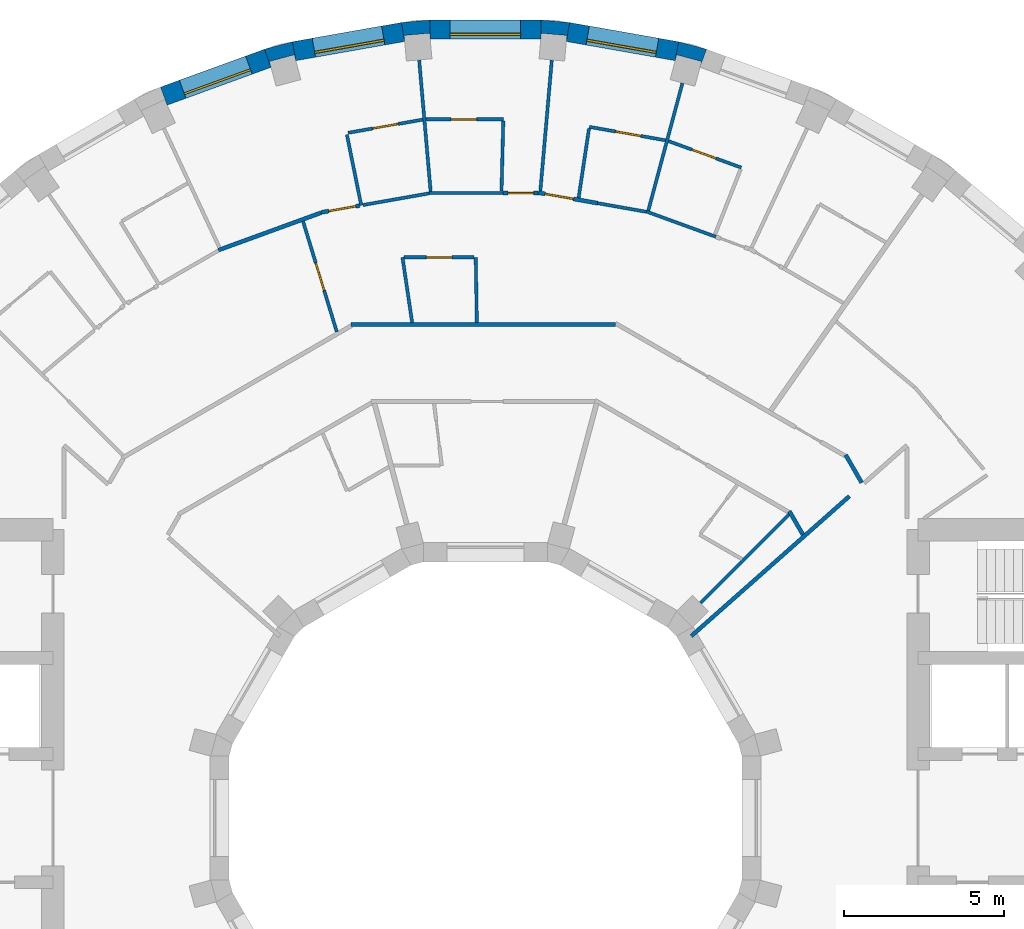
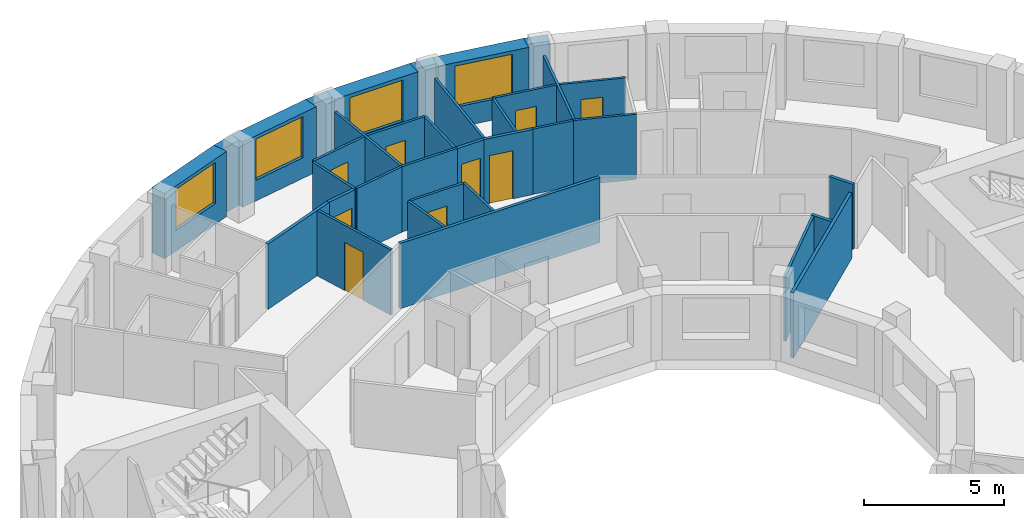
# One storey, part 12 of 15: 35 walls, 9 doors, 4 windows, 13 openings.
"""IFC4 building model written with IfcOpenShell, lengths in metres."""

from ifc_helpers import new_model, si_unit, direction, frame, frame_2d, origin, place, context, subcontext, project, spatial, polyline, rectangle, outline, extrude, material, layer, layer_set, type_object, element, fill, save


model = new_model("IFC4")

# Units and contexts
model_context = context("Model", 3, precision=1e-05, world=origin(), true_north=direction((0.0, 1.0)))
body_context = subcontext(model_context, "Body", "Model", "MODEL_VIEW")
ifc_project = project(units=[si_unit("LENGTHUNIT", "METRE"), si_unit("AREAUNIT", "SQUARE_METRE"), si_unit("VOLUMEUNIT", "CUBIC_METRE"), si_unit("PLANEANGLEUNIT", "RADIAN"), si_unit("MASSUNIT", "GRAM", prefix="KILO")], contexts=[model_context])

# Site, building, storey
site_placement = place(None, origin())
site = spatial("IfcSite", under=ifc_project, at=site_placement, CompositionType="ELEMENT")
building_placement = place(site_placement, origin())
building = spatial("IfcBuilding", under=site, at=building_placement, Name="Saqina Gate Tower", CompositionType="ELEMENT")
storey_placement = place(building_placement, frame((0.0, 0.0, 167.39990234375)))
storey = spatial("IfcBuildingStorey", under=building, at=storey_placement, Name="L47", CompositionType="ELEMENT", Elevation=167.39990234375)

# Walls
ifc_material_1 = material(Name="Brick masonry (buff)", Category="masonry")
wall_type_1 = type_object("IfcWallType", Name="BRICK PIER COPING BUFF", PredefinedType="SOLIDWALL", material=ifc_material_1)
wall_1_placement = place(storey_placement, origin())
element("IfcWall", 1, at=wall_1_placement, inside=storey, type_object=wall_type_1, Name="Pier cap L47 column 8", PredefinedType="SOLIDWALL", context=body_context, shape_type="SweptSolid", body=[
    extrude(outline(polyline([(6.0234375, 24.22705078125), (5.919189453125, 23.635986328125), (5.967529296875, 23.81689453125), (6.740478515625, 23.610107421875), (6.69189453125, 23.428955078125), (6.897216796875, 23.992919921875), (6.0234375, 24.22705078125)])), origin(), (0.0, 0.0, 1.0), 2.85009765625),
])
wall_2_placement = place(storey_placement, origin())
element("IfcWall", 2, at=wall_2_placement, inside=storey, type_object=wall_type_1, Name="Pier cap L47 column 9", PredefinedType="SOLIDWALL", context=body_context, shape_type="SweptSolid", body=[
    extrude(outline(polyline([(2.6259765625, 24.825927734375), (1.724853515625, 24.90478515625), (1.724853515625, 24.304931640625), (1.7412109375, 24.491455078125), (2.5380859375, 24.421630859375), (2.521728515625, 24.235107421875), (2.6259765625, 24.825927734375)])), origin(), (0.0, 0.0, 1.0), 2.85009765625),
])
wall_3_placement = place(storey_placement, origin())
element("IfcWall", 3, at=wall_3_placement, inside=storey, type_object=wall_type_1, Name="Pier cap L47 column 10", PredefinedType="SOLIDWALL", context=body_context, shape_type="SweptSolid", body=[
    extrude(outline(polyline([(-1.724853515625, 24.90478515625), (-2.6259765625, 24.825927734375), (-2.521728515625, 24.235107421875), (-2.5380859375, 24.421630859375), (-1.7412109375, 24.491455078125), (-1.724853515625, 24.304931640625), (-1.724853515625, 24.90478515625)])), origin(), (0.0, 0.0, 1.0), 2.85009765625),
])
wall_4_placement = place(storey_placement, origin())
element("IfcWall", 4, at=wall_4_placement, inside=storey, type_object=wall_type_1, Name="Pier cap L47 column 11", PredefinedType="SOLIDWALL", context=body_context, shape_type="SweptSolid", body=[
    extrude(outline(polyline([(-6.0234375, 24.22705078125), (-6.897216796875, 23.992919921875), (-6.69189453125, 23.428955078125), (-6.740478515625, 23.610107421875), (-5.967529296875, 23.81689453125), (-5.919189453125, 23.635986328125), (-6.0234375, 24.22705078125)])), origin(), (0.0, 0.0, 1.0), 2.85009765625),
])

# Wall, opening, window
ifc_material_2 = material(Name="Brick masonry (buff)", Category="masonry")
ifc_layer_1 = layer(ifc_material_2, 0.60009765625)
ifc_layer_set_1 = layer_set([ifc_layer_1], Name="FW-BRICK-BUFF")
wall_type_2 = type_object("IfcWallType", Name="FW-BRICK-BUFF", PredefinedType="SOLIDWALL", material=ifc_layer_set_1)
wall_5_placement = place(storey_placement, frame((5.97119140625, 23.931640625, 0.0), z_axis=(0.0, 0.0, 1.0), x_axis=(-0.984814892183, 0.173607684551, 0.0)))
wall_5 = element("IfcWall", 5, at=wall_5_placement, inside=storey, type_object=wall_type_2, Name="Facade wall L47 facet 8", PredefinedType="SOLIDWALL", context=body_context, shape_type="SweptSolid", body=[
    extrude(rectangle(XDim=3.44970703125, YDim=0.60009765625, at=frame_2d((1.724853515625, 0.0))), origin(), (0.0, 0.0, 1.0), 2.85009765625),
])
opening_1_placement = place(wall_5_placement, frame((0.625, 0.0, 0.89990234375)))
opening_1 = element("IfcOpeningElement", 6, at=opening_1_placement, cuts=wall_5, Name="Opening G13-W06", PredefinedType="OPENING", context=body_context, shape_type="SweptSolid", body=[
    extrude(rectangle(XDim=2.199951171875, YDim=1.800048828125, at=frame_2d((1.10009765625, 0.89990234375))), frame((0.0, 0.31201171875, 0.0), z_axis=(0.0, -1.0, 0.0), x_axis=(1.0, 0.0, 0.0)), (0.0, 0.0, 1.0), 0.6240234375),
])
ifc_material_3 = material(Name="Aluminium glazing", Category="aluminium")
window_type = type_object("IfcWindowType", Name="WN-C", PartitioningType="SINGLE_PANEL", PredefinedType="WINDOW", material=ifc_material_3)
window_1_placement = place(opening_1_placement, origin())
window_1 = element("IfcWindow", 7, at=window_1_placement, inside=storey, type_object=window_type, Name="Window L47 facet 8", OverallHeight=1.800048828125, OverallWidth=2.199951171875, PartitioningType="SINGLE_PANEL", PredefinedType="WINDOW", context=body_context, shape_type="SweptSolid", body=[
    extrude(rectangle(XDim=2.199951171875, YDim=1.800048828125, at=frame_2d((1.10009765625, 0.89990234375))), frame((0.0, 0.179931640625, 0.0), z_axis=(0.0, -1.0, 0.0), x_axis=(1.0, 0.0, 0.0)), (0.0, 0.0, 1.0), 0.06005859375),
])
fill(opening_1, window_1)

wall_6_placement = place(storey_placement, frame((1.724853515625, 24.60498046875, 0.0), z_axis=(0.0, 0.0, 1.0), x_axis=(-1.0, 0.0, 0.0)))
wall_6 = element("IfcWall", 8, at=wall_6_placement, inside=storey, type_object=wall_type_2, Name="Facade wall L47 facet 9", PredefinedType="SOLIDWALL", context=body_context, shape_type="SweptSolid", body=[
    extrude(rectangle(XDim=3.44970703125, YDim=0.60009765625, at=frame_2d((1.724853515625, 0.0))), origin(), (0.0, 0.0, 1.0), 2.85009765625),
])
opening_2_placement = place(wall_6_placement, frame((0.625, 0.0, 0.89990234375)))
opening_2 = element("IfcOpeningElement", 9, at=opening_2_placement, cuts=wall_6, Name="Opening G13-W07", PredefinedType="OPENING", context=body_context, shape_type="SweptSolid", body=[
    extrude(rectangle(XDim=2.199951171875, YDim=1.800048828125, at=frame_2d((1.10009765625, 0.89990234375))), frame((0.0, 0.31201171875, 0.0), z_axis=(0.0, -1.0, 0.0), x_axis=(1.0, 0.0, 0.0)), (0.0, 0.0, 1.0), 0.6240234375),
])
window_2_placement = place(opening_2_placement, origin())
window_2 = element("IfcWindow", 10, at=window_2_placement, inside=storey, type_object=window_type, Name="Window L47 facet 9", OverallHeight=1.800048828125, OverallWidth=2.199951171875, PartitioningType="SINGLE_PANEL", PredefinedType="WINDOW", context=body_context, shape_type="SweptSolid", body=[
    extrude(rectangle(XDim=2.199951171875, YDim=1.800048828125, at=frame_2d((1.10009765625, 0.89990234375))), frame((0.0, 0.179931640625, 0.0), z_axis=(0.0, -1.0, 0.0), x_axis=(1.0, 0.0, 0.0)), (0.0, 0.0, 1.0), 0.06005859375),
])
fill(opening_2, window_2)

wall_7_placement = place(storey_placement, frame((-2.573974609375, 24.530517578125, 0.0), z_axis=(0.0, 0.0, 1.0), x_axis=(-0.984814892183, -0.173607684551, 0.0)))
wall_7 = element("IfcWall", 11, at=wall_7_placement, inside=storey, type_object=wall_type_2, Name="Facade wall L47 facet 10", PredefinedType="SOLIDWALL", context=body_context, shape_type="SweptSolid", body=[
    extrude(rectangle(XDim=3.44970703125, YDim=0.60009765625, at=frame_2d((1.724853515625, 0.0))), origin(), (0.0, 0.0, 1.0), 2.85009765625),
])
opening_3_placement = place(wall_7_placement, frame((0.625, 0.0, 0.89990234375)))
opening_3 = element("IfcOpeningElement", 12, at=opening_3_placement, cuts=wall_7, Name="Opening G13-W08", PredefinedType="OPENING", context=body_context, shape_type="SweptSolid", body=[
    extrude(rectangle(XDim=2.199951171875, YDim=1.800048828125, at=frame_2d((1.10009765625, 0.89990234375))), frame((0.0, 0.31201171875, 0.0), z_axis=(0.0, -1.0, 0.0), x_axis=(1.0, 0.0, 0.0)), (0.0, 0.0, 1.0), 0.6240234375),
])
window_3_placement = place(opening_3_placement, origin())
window_3 = element("IfcWindow", 13, at=window_3_placement, inside=storey, type_object=window_type, Name="Window L47 facet 10", OverallHeight=1.800048828125, OverallWidth=2.199951171875, PartitioningType="SINGLE_PANEL", PredefinedType="WINDOW", context=body_context, shape_type="SweptSolid", body=[
    extrude(rectangle(XDim=2.199951171875, YDim=1.800048828125, at=frame_2d((1.10009765625, 0.89990234375))), frame((0.0, 0.179931640625, 0.0), z_axis=(0.0, -1.0, 0.0), x_axis=(1.0, 0.0, 0.0)), (0.0, 0.0, 1.0), 0.06005859375),
])
fill(opening_3, window_3)

wall_8_placement = place(storey_placement, frame((-6.79443359375, 23.7109375, 0.0), z_axis=(0.0, 0.0, 1.0), x_axis=(-0.93968799822, -0.342032843455, 0.0)))
wall_8 = element("IfcWall", 14, at=wall_8_placement, inside=storey, type_object=wall_type_2, Name="Facade wall L47 facet 11", PredefinedType="SOLIDWALL", context=body_context, shape_type="SweptSolid", body=[
    extrude(rectangle(XDim=3.44970703125, YDim=0.60009765625, at=frame_2d((1.724853515625, 0.0))), origin(), (0.0, 0.0, 1.0), 2.85009765625),
])
opening_4_placement = place(wall_8_placement, frame((0.625, 0.0, 0.89990234375)))
opening_4 = element("IfcOpeningElement", 15, at=opening_4_placement, cuts=wall_8, Name="Opening G13-W09", PredefinedType="OPENING", context=body_context, shape_type="SweptSolid", body=[
    extrude(rectangle(XDim=2.199951171875, YDim=1.800048828125, at=frame_2d((1.10009765625, 0.89990234375))), frame((0.0, 0.31201171875, 0.0), z_axis=(0.0, -1.0, 0.0), x_axis=(1.0, 0.0, 0.0)), (0.0, 0.0, 1.0), 0.6240234375),
])
window_4_placement = place(opening_4_placement, origin())
window_4 = element("IfcWindow", 16, at=window_4_placement, inside=storey, type_object=window_type, Name="Window L47 facet 11", OverallHeight=1.800048828125, OverallWidth=2.199951171875, PartitioningType="SINGLE_PANEL", PredefinedType="WINDOW", context=body_context, shape_type="SweptSolid", body=[
    extrude(rectangle(XDim=2.199951171875, YDim=1.800048828125, at=frame_2d((1.10009765625, 0.89990234375))), frame((0.0, 0.179931640625, 0.0), z_axis=(0.0, -1.0, 0.0), x_axis=(1.0, 0.0, 0.0)), (0.0, 0.0, 1.0), 0.06005859375),
])
fill(opening_4, window_4)

# Walls
ifc_material_4 = material(Name="Gypsum board on steel studs, 100 mm", Category="steel")
ifc_layer_2 = layer(ifc_material_4, 0.10009765625)
ifc_layer_set_2 = layer_set([ifc_layer_2], Name="PARTITION 100")
wall_type_3 = type_object("IfcWallType", Name="PARTITION 100", PredefinedType="PARTITIONING", material=ifc_layer_set_2)
wall_9_placement = place(storey_placement, frame((-0.304931640625, 17.5, 0.0), z_axis=(0.0, 0.0, 1.0), x_axis=(0.017131441911, -0.999853246081, 0.0)))
element("IfcWall", 17, at=wall_9_placement, inside=storey, type_object=wall_type_3, Name="PARTITION PW3-01", PredefinedType="PARTITIONING", context=body_context, shape_type="SweptSolid", body=[
    extrude(rectangle(XDim=2.037841796875, YDim=0.10009765625, at=frame_2d((1.01904296875, 0.0))), origin(), (0.0, 0.0, 1.0), 2.85009765625),
])
wall_10_placement = place(storey_placement, frame((-2.06884765625, 23.649658203125, 0.0), z_axis=(0.0, 0.0, 1.0), x_axis=(0.086893599578, -0.996217597893, 0.0)))
element("IfcWall", 18, at=wall_10_placement, inside=storey, type_object=wall_type_3, Name="PARTITION PW3-03", PredefinedType="PARTITIONING", context=body_context, shape_type="SweptSolid", body=[
    extrude(rectangle(XDim=4.110595703125, YDim=0.10009765625, at=frame_2d((2.05517578125, 0.0))), origin(), (0.0, 0.0, 1.0), 2.85009765625),
])
wall_11_placement = place(storey_placement, frame((-2.590087890625, 17.5, 0.0), z_axis=(0.0, 0.0, 1.0), x_axis=(0.146578722253, -0.989199008381, 0.0)))
element("IfcWall", 19, at=wall_11_placement, inside=storey, type_object=wall_type_3, Name="PARTITION PW3-05", PredefinedType="PARTITIONING", context=body_context, shape_type="SweptSolid", body=[
    extrude(rectangle(XDim=2.060302734375, YDim=0.10009765625, at=frame_2d((1.0302734375, 0.0))), origin(), (0.0, 0.0, 1.0), 2.85009765625),
])
wall_12_placement = place(storey_placement, frame((-4.324951171875, 21.326904296875, 0.0), z_axis=(0.0, 0.0, 1.0), x_axis=(0.199120171805, -0.979975079877, 0.0)))
element("IfcWall", 20, at=wall_12_placement, inside=storey, type_object=wall_type_3, Name="PARTITION PW3-06", PredefinedType="PARTITIONING", context=body_context, shape_type="SweptSolid", body=[
    extrude(rectangle(XDim=2.25, YDim=0.10009765625, at=frame_2d((1.125, 0.0))), origin(), (0.0, 0.0, 1.0), 2.85009765625),
])

# Wall, opening, door
wall_13_placement = place(storey_placement, frame((-5.691650390625, 18.6181640625, 0.0), z_axis=(0.0, 0.0, 1.0), x_axis=(0.292189255633, -0.956360517218, 0.0)))
wall_13 = element("IfcWall", 21, at=wall_13_placement, inside=storey, type_object=wall_type_3, Name="PARTITION PW3-07", PredefinedType="PARTITIONING", context=body_context, shape_type="SweptSolid", body=[
    extrude(rectangle(XDim=3.601318359375, YDim=0.10009765625, at=frame_2d((1.80078125, 0.0))), origin(), (0.0, 0.0, 1.0), 2.85009765625),
])
opening_5_placement = place(wall_13_placement, frame((1.350830078125, 0.0, 0.0)))
opening_5 = element("IfcOpeningElement", 22, at=opening_5_placement, cuts=wall_13, Name="Opening G13-D19", PredefinedType="OPENING", context=body_context, shape_type="SweptSolid", body=[
    extrude(rectangle(XDim=0.89990234375, YDim=2.10009765625, at=frame_2d((0.449951171875, 1.050048828125))), frame((0.0, 0.06201171875, 0.0), z_axis=(0.0, -1.0, 0.0), x_axis=(1.0, 0.0, 0.0)), (0.0, 0.0, 1.0), 0.1240234375),
])
ifc_material_5 = material(Name="Timber door leaf, 900 mm", Category="wood")
door_type_1 = type_object("IfcDoorType", Name="DOOR 900 TIMBER", OperationType="SINGLE_SWING_LEFT", PredefinedType="DOOR", material=ifc_material_5)
door_1_placement = place(opening_5_placement, origin())
door_1 = element("IfcDoor", 23, at=door_1_placement, inside=storey, type_object=door_type_1, Name="DOOR G13-D19", OperationType="SINGLE_SWING_RIGHT", OverallHeight=2.10009765625, OverallWidth=0.89990234375, PredefinedType="DOOR", context=body_context, shape_type="SweptSolid", body=[
    extrude(rectangle(XDim=0.89990234375, YDim=2.10009765625, at=frame_2d((0.449951171875, 1.050048828125))), frame((0.0, 0.02490234375, 0.0), z_axis=(0.0, -1.0, 0.0), x_axis=(1.0, 0.0, 0.0)), (0.0, 0.0, 1.0), 0.050048828125),
])
fill(opening_5, door_1)

# Wall
wall_14_placement = place(storey_placement, frame((5.020263671875, 18.929443359375, 0.0), z_axis=(0.0, 0.0, 1.0), x_axis=(0.939651079277, -0.342134256123, 0.0)))
element("IfcWall", 24, at=wall_14_placement, inside=storey, type_object=wall_type_3, Name="PARTITION PW3-28", PredefinedType="PARTITIONING", context=body_context, shape_type="SweptSolid", body=[
    extrude(rectangle(XDim=2.304931640625, YDim=0.10009765625, at=frame_2d((1.15234375, 0.0))), origin(), (0.0, 0.0, 1.0), 2.85009765625),
])

# Wall, opening, door
wall_15_placement = place(storey_placement, frame((5.7119140625, 21.125, 0.0), z_axis=(0.0, 0.0, 1.0), x_axis=(0.939684150909, -0.342043413226, 0.0)))
wall_15 = element("IfcWall", 25, at=wall_15_placement, inside=storey, type_object=wall_type_3, Name="PARTITION PW3-29", PredefinedType="PARTITIONING", context=body_context, shape_type="SweptSolid", body=[
    extrude(rectangle(XDim=2.414794921875, YDim=0.10009765625, at=frame_2d((1.20751953125, 0.0))), origin(), (0.0, 0.0, 1.0), 2.85009765625),
])
opening_6_placement = place(wall_15_placement, frame((0.7822265625, 0.0, 0.0)))
opening_6 = element("IfcOpeningElement", 26, at=opening_6_placement, cuts=wall_15, Name="Opening G13-D09", PredefinedType="OPENING", context=body_context, shape_type="SweptSolid", body=[
    extrude(rectangle(XDim=0.800048828125, YDim=2.10009765625, at=frame_2d((0.39990234375, 1.050048828125))), frame((0.0, 0.06201171875, 0.0), z_axis=(0.0, -1.0, 0.0), x_axis=(1.0, 0.0, 0.0)), (0.0, 0.0, 1.0), 0.1240234375),
])
ifc_material_6 = material(Name="Timber door leaf, 800 mm", Category="wood")
door_type_2 = type_object("IfcDoorType", Name="DOOR 800 TIMBER", OperationType="SINGLE_SWING_LEFT", PredefinedType="DOOR", material=ifc_material_6)
door_2_placement = place(opening_6_placement, origin())
door_2 = element("IfcDoor", 27, at=door_2_placement, inside=storey, type_object=door_type_2, Name="DOOR G13-D09", OperationType="SINGLE_SWING_LEFT", OverallHeight=2.10009765625, OverallWidth=0.800048828125, PredefinedType="DOOR", context=body_context, shape_type="SweptSolid", body=[
    extrude(rectangle(XDim=0.800048828125, YDim=2.10009765625, at=frame_2d((0.39990234375, 1.050048828125))), frame((0.0, 0.02490234375, 0.0), z_axis=(0.0, -1.0, 0.0), x_axis=(1.0, 0.0, 0.0)), (0.0, 0.0, 1.0), 0.050048828125),
])
fill(opening_6, door_2)

# Wall
wall_16_placement = place(storey_placement, frame((3.49365234375, 19.189697265625, 0.0), z_axis=(0.0, 0.0, 1.0), x_axis=(0.984794665863, -0.173722382228, 0.0)))
element("IfcWall", 28, at=wall_16_placement, inside=storey, type_object=wall_type_3, Name="PARTITION PW3-31", PredefinedType="PARTITIONING", context=body_context, shape_type="SweptSolid", body=[
    extrude(rectangle(XDim=1.548583984375, YDim=0.10009765625, at=frame_2d((0.7744140625, 0.0))), origin(), (0.0, 0.0, 1.0), 2.85009765625),
])

# Wall, opening, door
wall_17_placement = place(storey_placement, frame((3.238037109375, 21.570068359375, 0.0), z_axis=(0.0, 0.0, 1.0), x_axis=(0.984794754479, -0.173721879884, 0.0)))
wall_17 = element("IfcWall", 29, at=wall_17_placement, inside=storey, type_object=wall_type_3, Name="PARTITION PW3-32", PredefinedType="PARTITIONING", context=body_context, shape_type="SweptSolid", body=[
    extrude(rectangle(XDim=2.414306640625, YDim=0.10009765625, at=frame_2d((1.20703125, 0.0))), origin(), (0.0, 0.0, 1.0), 2.85009765625),
])
opening_7_placement = place(wall_17_placement, frame((0.832275390625, 0.0, 0.0)))
opening_7 = element("IfcOpeningElement", 30, at=opening_7_placement, cuts=wall_17, Name="Opening G13-D10", PredefinedType="OPENING", context=body_context, shape_type="SweptSolid", body=[
    extrude(rectangle(XDim=0.800048828125, YDim=2.10009765625, at=frame_2d((0.39990234375, 1.050048828125))), frame((0.0, 0.06201171875, 0.0), z_axis=(0.0, -1.0, 0.0), x_axis=(1.0, 0.0, 0.0)), (0.0, 0.0, 1.0), 0.1240234375),
])
door_3_placement = place(opening_7_placement, origin())
door_3 = element("IfcDoor", 31, at=door_3_placement, inside=storey, type_object=door_type_2, Name="DOOR G13-D10", OperationType="SINGLE_SWING_RIGHT", OverallHeight=2.10009765625, OverallWidth=0.800048828125, PredefinedType="DOOR", context=body_context, shape_type="SweptSolid", body=[
    extrude(rectangle(XDim=0.800048828125, YDim=2.10009765625, at=frame_2d((0.39990234375, 1.050048828125))), frame((0.0, 0.02490234375, 0.0), z_axis=(0.0, -1.0, 0.0), x_axis=(1.0, 0.0, 0.0)), (0.0, 0.0, 1.0), 0.050048828125),
])
fill(opening_7, door_3)

wall_18_placement = place(storey_placement, frame((-2.5400390625, 17.5, 0.0), z_axis=(0.0, 0.0, 1.0), x_axis=(1.0, 0.0, 0.0)))
wall_18 = element("IfcWall", 32, at=wall_18_placement, inside=storey, type_object=wall_type_3, Name="PARTITION PW3-35", PredefinedType="PARTITIONING", context=body_context, shape_type="SweptSolid", body=[
    extrude(rectangle(XDim=2.18505859375, YDim=0.10009765625, at=frame_2d((1.092529296875, 0.0))), origin(), (0.0, 0.0, 1.0), 2.85009765625),
])
opening_8_placement = place(wall_18_placement, frame((0.6923828125, 0.0, 0.0)))
opening_8 = element("IfcOpeningElement", 33, at=opening_8_placement, cuts=wall_18, Name="Opening G13-D15", PredefinedType="OPENING", context=body_context, shape_type="SweptSolid", body=[
    extrude(rectangle(XDim=0.800048828125, YDim=2.10009765625, at=frame_2d((0.39990234375, 1.050048828125))), frame((0.0, 0.06201171875, 0.0), z_axis=(0.0, -1.0, 0.0), x_axis=(1.0, 0.0, 0.0)), (0.0, 0.0, 1.0), 0.1240234375),
])
door_4_placement = place(opening_8_placement, origin())
door_4 = element("IfcDoor", 34, at=door_4_placement, inside=storey, type_object=door_type_2, Name="DOOR G13-D15", OperationType="SINGLE_SWING_RIGHT", OverallHeight=2.10009765625, OverallWidth=0.800048828125, PredefinedType="DOOR", context=body_context, shape_type="SweptSolid", body=[
    extrude(rectangle(XDim=0.800048828125, YDim=2.10009765625, at=frame_2d((0.39990234375, 1.050048828125))), frame((0.0, 0.02490234375, 0.0), z_axis=(0.0, -1.0, 0.0), x_axis=(1.0, 0.0, 0.0)), (0.0, 0.0, 1.0), 0.050048828125),
])
fill(opening_8, door_4)

# Wall
wall_19_placement = place(storey_placement, frame((-1.7568359375, 19.5048828125, 0.0), z_axis=(0.0, 0.0, 1.0), x_axis=(1.0, 0.0, 0.0)))
element("IfcWall", 35, at=wall_19_placement, inside=storey, type_object=wall_type_3, Name="PARTITION PW3-36", PredefinedType="PARTITIONING", context=body_context, shape_type="SweptSolid", body=[
    extrude(rectangle(XDim=2.304931640625, YDim=0.10009765625, at=frame_2d((1.15234375, 0.0))), origin(), (0.0, 0.0, 1.0), 2.85009765625),
])

# Wall, opening, door
wall_20_placement = place(storey_placement, frame((-1.85791015625, 21.804931640625, 0.0), z_axis=(0.0, 0.0, 1.0), x_axis=(1.0, 0.0, 0.0)))
wall_20 = element("IfcWall", 36, at=wall_20_placement, inside=storey, type_object=wall_type_3, Name="PARTITION PW3-37", PredefinedType="PARTITIONING", context=body_context, shape_type="SweptSolid", body=[
    extrude(rectangle(XDim=2.414794921875, YDim=0.10009765625, at=frame_2d((1.20751953125, 0.0))), origin(), (0.0, 0.0, 1.0), 2.85009765625),
])
opening_9_placement = place(wall_20_placement, frame((0.782470703125, 0.0, 0.0)))
opening_9 = element("IfcOpeningElement", 37, at=opening_9_placement, cuts=wall_20, Name="Opening G13-D14", PredefinedType="OPENING", context=body_context, shape_type="SweptSolid", body=[
    extrude(rectangle(XDim=0.800048828125, YDim=2.10009765625, at=frame_2d((0.39990234375, 1.050048828125))), frame((0.0, 0.06201171875, 0.0), z_axis=(0.0, -1.0, 0.0), x_axis=(1.0, 0.0, 0.0)), (0.0, 0.0, 1.0), 0.1240234375),
])
door_5_placement = place(opening_9_placement, origin())
door_5 = element("IfcDoor", 38, at=door_5_placement, inside=storey, type_object=door_type_2, Name="DOOR G13-D14", OperationType="SINGLE_SWING_LEFT", OverallHeight=2.10009765625, OverallWidth=0.800048828125, PredefinedType="DOOR", context=body_context, shape_type="SweptSolid", body=[
    extrude(rectangle(XDim=0.800048828125, YDim=2.10009765625, at=frame_2d((0.39990234375, 1.050048828125))), frame((0.0, 0.02490234375, 0.0), z_axis=(0.0, -1.0, 0.0), x_axis=(1.0, 0.0, 0.0)), (0.0, 0.0, 1.0), 0.050048828125),
])
fill(opening_9, door_5)

# Wall
wall_21_placement = place(storey_placement, frame((-3.827880859375, 19.130615234375, 0.0), z_axis=(0.0, 0.0, 1.0), x_axis=(0.984788229358, 0.173758865439, 0.0)))
element("IfcWall", 39, at=wall_21_placement, inside=storey, type_object=wall_type_3, Name="PARTITION PW3-39", PredefinedType="PARTITIONING", context=body_context, shape_type="SweptSolid", body=[
    extrude(rectangle(XDim=2.104736328125, YDim=0.10009765625, at=frame_2d((1.05224609375, 0.0))), origin(), (0.0, 0.0, 1.0), 2.85009765625),
])

# Wall, opening, door
wall_22_placement = place(storey_placement, frame((-4.28564453125, 21.38525390625, 0.0), z_axis=(0.0, 0.0, 1.0), x_axis=(0.984765882157, 0.173885471904, 0.0)))
wall_22 = element("IfcWall", 40, at=wall_22_placement, inside=storey, type_object=wall_type_3, Name="PARTITION PW3-40", PredefinedType="PARTITIONING", context=body_context, shape_type="SweptSolid", body=[
    extrude(rectangle(XDim=2.364501953125, YDim=0.10009765625, at=frame_2d((1.18212890625, 0.0))), origin(), (0.0, 0.0, 1.0), 2.85009765625),
])
opening_10_placement = place(wall_22_placement, frame((0.78271484375, 0.0, 0.0)))
opening_10 = element("IfcOpeningElement", 41, at=opening_10_placement, cuts=wall_22, Name="Opening G13-D17", PredefinedType="OPENING", context=body_context, shape_type="SweptSolid", body=[
    extrude(rectangle(XDim=0.800048828125, YDim=2.10009765625, at=frame_2d((0.39990234375, 1.050048828125))), frame((0.0, 0.06201171875, 0.0), z_axis=(0.0, -1.0, 0.0), x_axis=(1.0, 0.0, 0.0)), (0.0, 0.0, 1.0), 0.1240234375),
])
door_6_placement = place(opening_10_placement, origin())
door_6 = element("IfcDoor", 42, at=door_6_placement, inside=storey, type_object=door_type_2, Name="DOOR G13-D17", OperationType="SINGLE_SWING_RIGHT", OverallHeight=2.10009765625, OverallWidth=0.800048828125, PredefinedType="DOOR", context=body_context, shape_type="SweptSolid", body=[
    extrude(rectangle(XDim=0.800048828125, YDim=2.10009765625, at=frame_2d((0.39990234375, 1.050048828125))), frame((0.0, 0.02490234375, 0.0), z_axis=(0.0, -1.0, 0.0), x_axis=(1.0, 0.0, 0.0)), (0.0, 0.0, 1.0), 0.050048828125),
])
fill(opening_10, door_6)

# Walls
wall_23_placement = place(storey_placement, frame((6.7119140625, 6.7119140625, 0.0), z_axis=(0.0, 0.0, 1.0), x_axis=(0.707106781187, 0.707106781187, 0.0)))
element("IfcWall", 43, at=wall_23_placement, inside=storey, type_object=wall_type_3, Name="PARTITION PW3-52", PredefinedType="PARTITIONING", context=body_context, shape_type="SweptSolid", body=[
    extrude(rectangle(XDim=3.904541015625, YDim=0.10009765625, at=frame_2d((1.9521484375, 0.0))), origin(), (0.0, 0.0, 1.0), 2.85009765625),
])
wall_24_placement = place(storey_placement, frame((5.080810546875, 18.960205078125, 0.0), z_axis=(0.0, 0.0, 1.0), x_axis=(0.258642078309, 0.965973227025, 0.0)))
element("IfcWall", 44, at=wall_24_placement, inside=storey, type_object=wall_type_3, Name="PARTITION PW3-60", PredefinedType="PARTITIONING", context=body_context, shape_type="SweptSolid", body=[
    extrude(rectangle(XDim=4.11083984375, YDim=0.10009765625, at=frame_2d((2.055419921875, 0.0))), origin(), (0.0, 0.0, 1.0), 2.85009765625),
])
wall_25_placement = place(storey_placement, frame((2.90625, 19.356689453125, 0.0), z_axis=(0.0, 0.0, 1.0), x_axis=(0.148182215979, 0.988960075467, 0.0)))
element("IfcWall", 45, at=wall_25_placement, inside=storey, type_object=wall_type_3, Name="PARTITION PW3-61", PredefinedType="PARTITIONING", context=body_context, shape_type="SweptSolid", body=[
    extrude(rectangle(XDim=2.18798828125, YDim=0.10009765625, at=frame_2d((1.093994140625, 0.0))), origin(), (0.0, 0.0, 1.0), 2.85009765625),
])
wall_26_placement = place(storey_placement, frame((1.71142578125, 19.5673828125, 0.0), z_axis=(0.0, 0.0, 1.0), x_axis=(0.087161776864, 0.996194170157, 0.0)))
element("IfcWall", 46, at=wall_26_placement, inside=storey, type_object=wall_type_3, Name="PARTITION PW3-64", PredefinedType="PARTITIONING", context=body_context, shape_type="SweptSolid", body=[
    extrude(rectangle(XDim=4.097900390625, YDim=0.10009765625, at=frame_2d((2.048828125, 0.0))), origin(), (0.0, 0.0, 1.0), 2.85009765625),
])
wall_27_placement = place(storey_placement, frame((0.49951171875, 19.5673828125, 0.0), z_axis=(0.0, 0.0, 1.0), x_axis=(0.025658328011, 0.999670770906, 0.0)))
element("IfcWall", 47, at=wall_27_placement, inside=storey, type_object=wall_type_3, Name="PARTITION PW3-65", PredefinedType="PARTITIONING", context=body_context, shape_type="SweptSolid", body=[
    extrude(rectangle(XDim=2.1884765625, YDim=0.10009765625, at=frame_2d((1.09423828125, 0.0))), origin(), (0.0, 0.0, 1.0), 2.85009765625),
])
ifc_material_7 = material(Name="Gypsum board on steel studs, 125 mm, fire rated", Category="steel")
ifc_layer_3 = layer(ifc_material_7, 0.125)
ifc_layer_set_3 = layer_set([ifc_layer_3], Name="PARTITION EI 30 125")
wall_type_4 = type_object("IfcWallType", Name="PARTITION EI 30 125", PredefinedType="PARTITIONING", material=ifc_layer_set_3)
wall_28_placement = place(storey_placement, frame((11.238037109375, 11.336669921875, 0.0), z_axis=(0.0, 0.0, 1.0), x_axis=(0.499097354853, -0.866545919371, 0.0)))
element("IfcWall", 48, at=wall_28_placement, inside=storey, type_object=wall_type_4, Name="PARTITION PW1-02", PredefinedType="PARTITIONING", context=body_context, shape_type="SweptSolid", body=[
    extrude(rectangle(XDim=1.003173828125, YDim=0.125, at=frame_2d((0.50146484375, 0.0))), origin(), (0.0, 0.0, 1.0), 2.85009765625),
])
wall_29_placement = place(storey_placement, frame((9.48095703125, 9.57958984375, 0.0), z_axis=(0.0, 0.0, 1.0), x_axis=(0.499855389907, -0.866108878364, 0.0)))
element("IfcWall", 49, at=wall_29_placement, inside=storey, type_object=wall_type_4, Name="PARTITION PW1-04", PredefinedType="PARTITIONING", context=body_context, shape_type="SweptSolid", body=[
    extrude(rectangle(XDim=0.847900390625, YDim=0.125, at=frame_2d((0.423828125, 0.0))), origin(), (0.0, 0.0, 1.0), 2.85009765625),
])

# Wall, opening, door
wall_30_placement = place(storey_placement, frame((1.6435546875, 19.51611328125, 0.0), z_axis=(0.0, 0.0, 1.0), x_axis=(0.984794021773, -0.173726033396, 0.0)))
wall_30 = element("IfcWall", 50, at=wall_30_placement, inside=storey, type_object=wall_type_4, Name="PARTITION PW1-16", PredefinedType="PARTITIONING", context=body_context, shape_type="SweptSolid", body=[
    extrude(rectangle(XDim=1.87890625, YDim=0.125, at=frame_2d((0.939453125, 0.0))), origin(), (0.0, 0.0, 1.0), 2.85009765625),
])
opening_11_placement = place(wall_30_placement, frame((0.21826171875, 0.0, 0.0)))
opening_11 = element("IfcOpeningElement", 51, at=opening_11_placement, cuts=wall_30, Name="Opening G13-D11", PredefinedType="OPENING", context=body_context, shape_type="SweptSolid", body=[
    extrude(rectangle(XDim=0.89990234375, YDim=2.10009765625, at=frame_2d((0.449951171875, 1.050048828125))), frame((0.0, 0.074462890625, 0.0), z_axis=(0.0, -1.0, 0.0), x_axis=(1.0, 0.0, 0.0)), (0.0, 0.0, 1.0), 0.14892578125),
])
ifc_material_8 = material(Name="Fire door leaf EI 30, 900 mm")
door_type_3 = type_object("IfcDoorType", Name="DOOR 900 EI 30", OperationType="SINGLE_SWING_LEFT", PredefinedType="DOOR", material=ifc_material_8)
door_7_placement = place(opening_11_placement, frame((0.89990234375, 0.0, 0.0), z_axis=(0.0, 0.0, 1.0), x_axis=(-1.0, 0.0, 0.0)))
door_7 = element("IfcDoor", 52, at=door_7_placement, inside=storey, type_object=door_type_3, Name="DOOR G13-D11", OperationType="SINGLE_SWING_RIGHT", OverallHeight=2.10009765625, OverallWidth=0.89990234375, PredefinedType="DOOR", context=body_context, shape_type="SweptSolid", body=[
    extrude(rectangle(XDim=0.89990234375, YDim=2.10009765625, at=frame_2d((0.449951171875, 1.050048828125))), frame((0.0, 0.02490234375, 0.0), z_axis=(0.0, -1.0, 0.0), x_axis=(1.0, 0.0, 0.0)), (0.0, 0.0, 1.0), 0.050048828125),
])
fill(opening_11, door_7)

# Wall
wall_31_placement = place(storey_placement, frame((-4.1982421875, 15.39990234375, 0.0), z_axis=(0.0, 0.0, 1.0), x_axis=(1.0, 0.0, 0.0)))
element("IfcWall", 53, at=wall_31_placement, inside=storey, type_object=wall_type_4, Name="PARTITION PW1-20", PredefinedType="PARTITIONING", context=body_context, shape_type="SweptSolid", body=[
    extrude(rectangle(XDim=8.26171875, YDim=0.125, at=frame_2d((4.130859375, 0.0))), origin(), (0.0, 0.0, 1.0), 2.85009765625),
])

# Wall, opening, door
wall_32_placement = place(storey_placement, frame((0.548095703125, 19.5048828125, 0.0), z_axis=(0.0, 0.0, 1.0), x_axis=(1.0, 0.0, 0.0)))
wall_32 = element("IfcWall", 54, at=wall_32_placement, inside=storey, type_object=wall_type_4, Name="PARTITION PW1-21", PredefinedType="PARTITIONING", context=body_context, shape_type="SweptSolid", body=[
    extrude(rectangle(XDim=1.095458984375, YDim=0.125, at=frame_2d((0.5478515625, 0.0))), origin(), (0.0, 0.0, 1.0), 2.85009765625),
])
opening_12_placement = place(wall_32_placement, frame((0.154052734375, 0.0, 0.0)))
opening_12 = element("IfcOpeningElement", 55, at=opening_12_placement, cuts=wall_32, Name="Opening G13-D12", PredefinedType="OPENING", context=body_context, shape_type="SweptSolid", body=[
    extrude(rectangle(XDim=0.800048828125, YDim=2.10009765625, at=frame_2d((0.39990234375, 1.050048828125))), frame((0.0, 0.074462890625, 0.0), z_axis=(0.0, -1.0, 0.0), x_axis=(1.0, 0.0, 0.0)), (0.0, 0.0, 1.0), 0.14892578125),
])
ifc_material_9 = material(Name="Fire door leaf EI 30, 800 mm")
door_type_4 = type_object("IfcDoorType", Name="DOOR 800 EI 30", OperationType="SINGLE_SWING_LEFT", PredefinedType="DOOR", material=ifc_material_9)
door_8_placement = place(opening_12_placement, frame((0.800048828125, 0.0, 0.0), z_axis=(0.0, 0.0, 1.0), x_axis=(-1.0, 0.0, 0.0)))
door_8 = element("IfcDoor", 56, at=door_8_placement, inside=storey, type_object=door_type_4, Name="DOOR G13-D12", OperationType="SINGLE_SWING_LEFT", OverallHeight=2.10009765625, OverallWidth=0.800048828125, PredefinedType="DOOR", context=body_context, shape_type="SweptSolid", body=[
    extrude(rectangle(XDim=0.800048828125, YDim=2.10009765625, at=frame_2d((0.39990234375, 1.050048828125))), frame((0.0, 0.02490234375, 0.0), z_axis=(0.0, -1.0, 0.0), x_axis=(1.0, 0.0, 0.0)), (0.0, 0.0, 1.0), 0.050048828125),
])
fill(opening_12, door_8)

wall_33_placement = place(storey_placement, frame((-5.130615234375, 18.90087890625, 0.0), z_axis=(0.0, 0.0, 1.0), x_axis=(0.984767477139, 0.173876438798, 0.0)))
wall_33 = element("IfcWall", 57, at=wall_33_placement, inside=storey, type_object=wall_type_4, Name="PARTITION PW1-22", PredefinedType="PARTITIONING", context=body_context, shape_type="SweptSolid", body=[
    extrude(rectangle(XDim=1.222900390625, YDim=0.125, at=frame_2d((0.611328125, 0.0))), origin(), (0.0, 0.0, 1.0), 2.85009765625),
])
opening_13_placement = place(wall_33_placement, frame((0.24267578125, 0.0, 0.0)))
opening_13 = element("IfcOpeningElement", 58, at=opening_13_placement, cuts=wall_33, Name="Opening G13-D18", PredefinedType="OPENING", context=body_context, shape_type="SweptSolid", body=[
    extrude(rectangle(XDim=0.85009765625, YDim=2.10009765625, at=frame_2d((0.425048828125, 1.050048828125))), frame((0.0, 0.074462890625, 0.0), z_axis=(0.0, -1.0, 0.0), x_axis=(1.0, 0.0, 0.0)), (0.0, 0.0, 1.0), 0.14892578125),
])
ifc_material_10 = material(Name="Fire door leaf EI 30, 850 mm")
door_type_5 = type_object("IfcDoorType", Name="DOOR 850 EI 30", OperationType="SINGLE_SWING_LEFT", PredefinedType="DOOR", material=ifc_material_10)
door_9_placement = place(opening_13_placement, frame((0.85009765625, 0.0, 0.0), z_axis=(0.0, 0.0, 1.0), x_axis=(-1.0, 0.0, 0.0)))
door_9 = element("IfcDoor", 59, at=door_9_placement, inside=storey, type_object=door_type_5, Name="DOOR G13-D18", OperationType="SINGLE_SWING_RIGHT", OverallHeight=2.10009765625, OverallWidth=0.85009765625, PredefinedType="DOOR", context=body_context, shape_type="SweptSolid", body=[
    extrude(rectangle(XDim=0.85009765625, YDim=2.10009765625, at=frame_2d((0.425048828125, 1.050048828125))), frame((0.0, 0.02490234375, 0.0), z_axis=(0.0, -1.0, 0.0), x_axis=(1.0, 0.0, 0.0)), (0.0, 0.0, 1.0), 0.050048828125),
])
fill(opening_13, door_9)

# Walls
wall_34_placement = place(storey_placement, frame((-8.334716796875, 17.723388671875, 0.0), z_axis=(0.0, 0.0, 1.0), x_axis=(0.939542594009, 0.342432057556, 0.0)))
element("IfcWall", 60, at=wall_34_placement, inside=storey, type_object=wall_type_4, Name="PARTITION PW1-23", PredefinedType="PARTITIONING", context=body_context, shape_type="SweptSolid", body=[
    extrude(rectangle(XDim=3.41357421875, YDim=0.125, at=frame_2d((1.706787109375, 0.0))), origin(), (0.0, 0.0, 1.0), 2.85009765625),
])
wall_35_placement = place(storey_placement, frame((6.419921875, 5.679931640625, 0.0), z_axis=(0.0, 0.0, 1.0), x_axis=(0.748956953748, 0.662618654607, 0.0)))
element("IfcWall", 61, at=wall_35_placement, inside=storey, type_object=wall_type_4, Name="PARTITION PW1-32", PredefinedType="PARTITIONING", context=body_context, shape_type="SweptSolid", body=[
    extrude(rectangle(XDim=6.588623046875, YDim=0.125, at=frame_2d((3.29443359375, 0.0))), origin(), (0.0, 0.0, 1.0), 2.85009765625),
])

save(model, "model.ifc")
